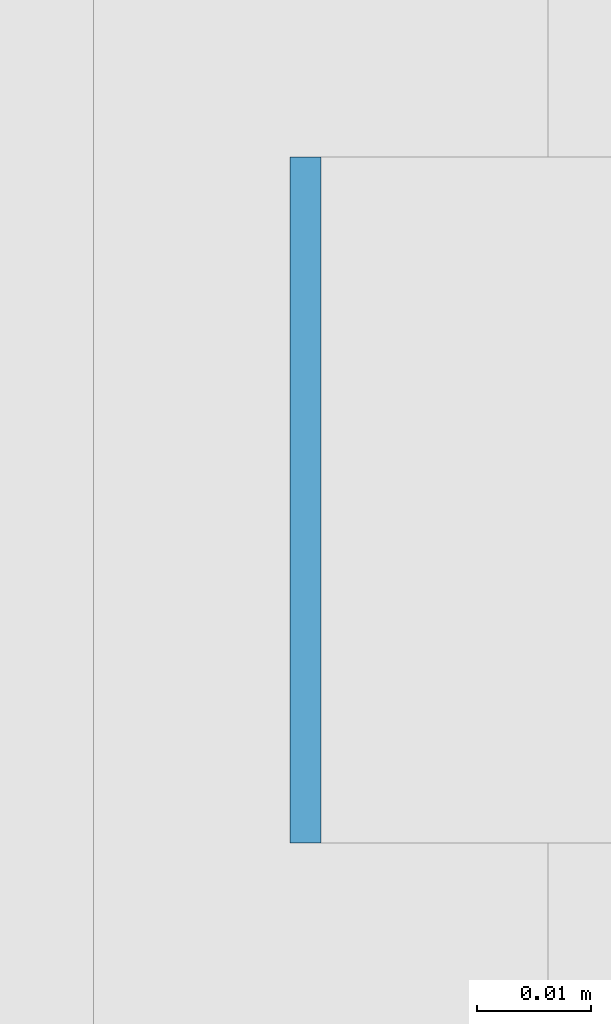
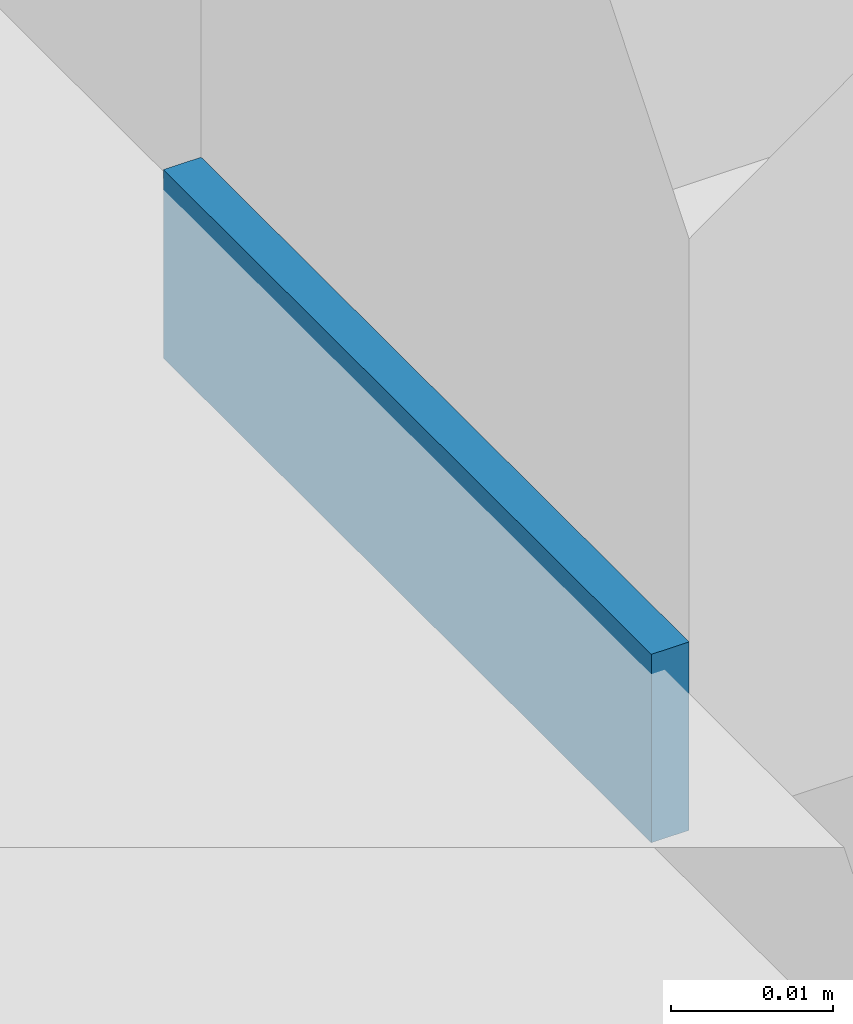
# One storey, part 580 of 646: 1 discrete accessory.
"""IFC4 building model written with IfcOpenShell, lengths in metres."""

from ifc_helpers import new_model, si_unit, direction, frame, origin, origin_2d, place, context, subcontext, project, spatial, rectangle, extrude, material, type_object, element, save


model = new_model("IFC4")

# Units and contexts
model_context = context("Model", 3, precision=1e-05, world=origin(), true_north=direction((0.0, 1.0)))
body_context = subcontext(model_context, "Body", "Model", "MODEL_VIEW")
ifc_project = project(units=[si_unit("LENGTHUNIT", "METRE"), si_unit("AREAUNIT", "SQUARE_METRE"), si_unit("VOLUMEUNIT", "CUBIC_METRE"), si_unit("PLANEANGLEUNIT", "RADIAN"), si_unit("MASSUNIT", "GRAM", prefix="KILO")], contexts=[model_context])

# Site, building, storey
site_placement = place(None, origin())
site = spatial("IfcSite", under=ifc_project, at=site_placement, CompositionType="ELEMENT")
building_placement = place(site_placement, origin())
building = spatial("IfcBuilding", under=site, at=building_placement, Name="Silverbay Arena", CompositionType="ELEMENT")
storey_placement = place(building_placement, frame((0.0, 0.0, 33.5)))
storey = spatial("IfcBuildingStorey", under=building, at=storey_placement, Name="L05", CompositionType="ELEMENT", Elevation=33.5)

# Discrete accessory
ifc_material = material(Name="Steel S355", Category="steel")
discrete_accessory_type = type_object("IfcDiscreteAccessoryType", Name="Steel bracket plate", PredefinedType="BRACKET", material=ifc_material)
discrete_accessory_placement = place(storey_placement, frame((207.128662109375, 111.857177734375, 4.0), z_axis=(0.0, 0.0, 1.0), x_axis=(1.0, 0.0, 0.0)))
element("IfcDiscreteAccessory", 1, at=discrete_accessory_placement, inside=storey, type_object=discrete_accessory_type, Name="Curtain wall packing plate", PredefinedType="BRACKET", context=body_context, shape_type="SweptSolid", body=[
    extrude(rectangle(XDim=0.002685546875, YDim=0.06005859375, at=origin_2d()), origin(), (0.0, 0.0, 1.0), 0.01416015625),
])

save(model, "model.ifc")
